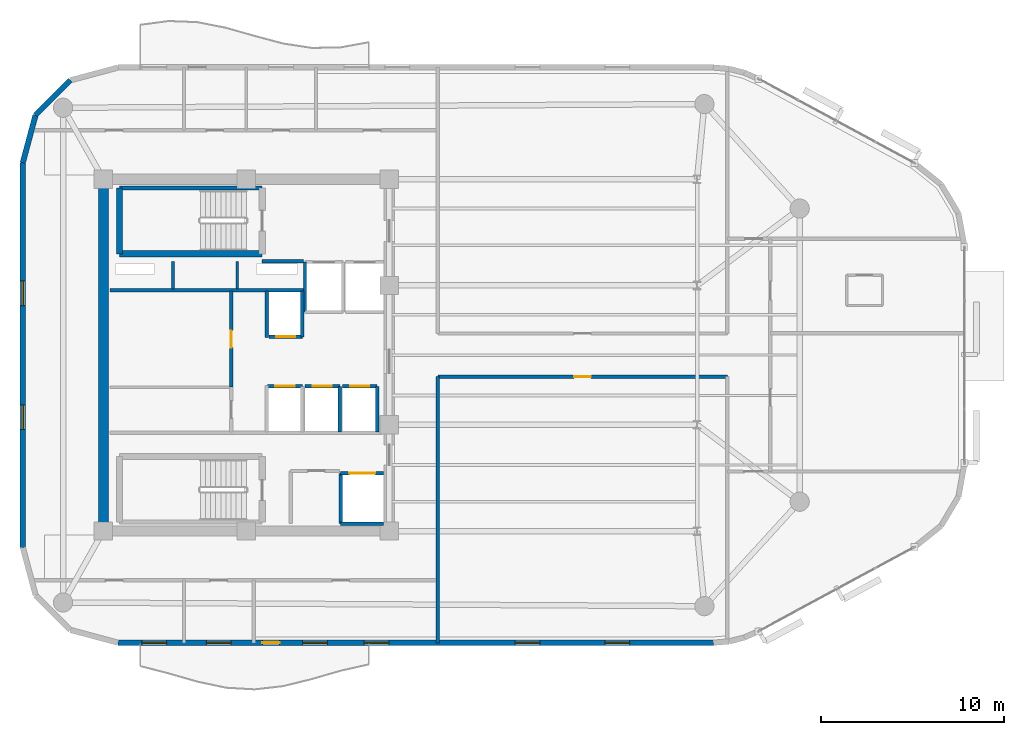
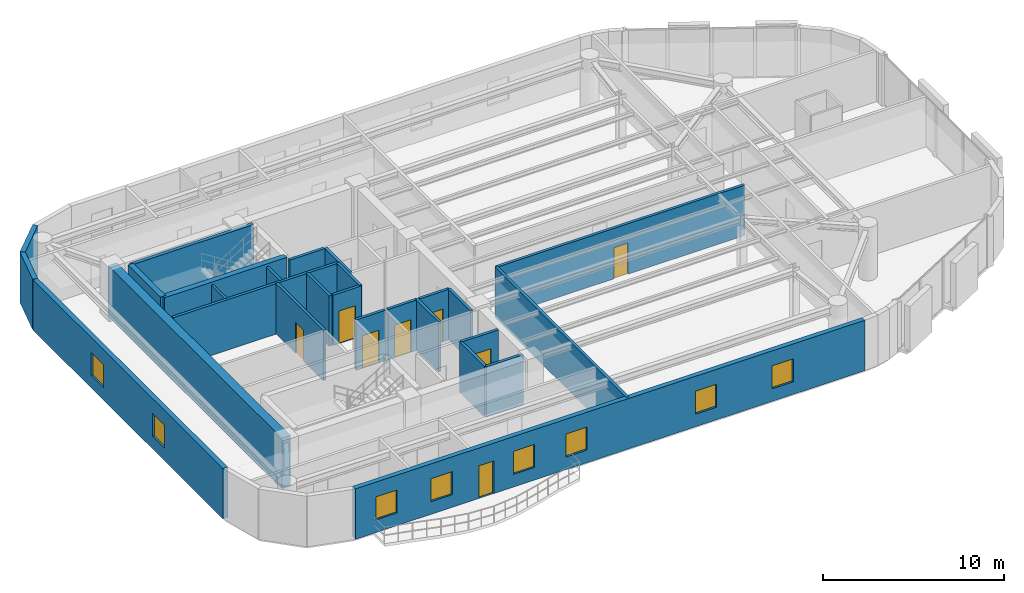
# One storey, part 9 of 13: 27 walls, 8 doors, 8 windows, 16 openings.
"""IFC4 building model written with IfcOpenShell, lengths in metres."""

from ifc_helpers import new_model, si_unit, direction, frame, frame_2d, origin, place, context, subcontext, project, spatial, rectangle, extrude, material, layer, layer_set, type_object, element, fill, save


model = new_model("IFC4")

# Units and contexts
model_context = context("Model", 3, precision=1e-05, world=origin(), true_north=direction((0.0, 1.0)))
body_context = subcontext(model_context, "Body", "Model", "MODEL_VIEW")
ifc_project = project(units=[si_unit("LENGTHUNIT", "METRE"), si_unit("AREAUNIT", "SQUARE_METRE"), si_unit("VOLUMEUNIT", "CUBIC_METRE"), si_unit("PLANEANGLEUNIT", "RADIAN"), si_unit("MASSUNIT", "GRAM", prefix="KILO")], contexts=[model_context])

# Site, building, storey
site_placement = place(None, origin())
site = spatial("IfcSite", under=ifc_project, at=site_placement, CompositionType="ELEMENT")
building_placement = place(site_placement, origin())
building = spatial("IfcBuilding", under=site, at=building_placement, Name="An Khanh Terracotta Commons", CompositionType="ELEMENT")
storey_placement = place(building_placement, frame((0.0, 0.0, 233.699951171875)))
storey = spatial("IfcBuildingStorey", under=building, at=storey_placement, Name="L61", CompositionType="ELEMENT", Elevation=233.699951171875)

# Walls
ifc_material_1 = material(Name="Concrete C50/60", Category="concrete")
ifc_layer_1 = layer(ifc_material_1, 0.550048828125, Name="Concrete C50/60")
ifc_layer_set_1 = layer_set([ifc_layer_1], Name="Concrete C50/60")
wall_type_1 = type_object("IfcWallType", Name="WALL-CORE-550", PredefinedType="SHEAR", material=ifc_layer_set_1)
wall_1_placement = place(storey_placement, frame((21.60009765625, 14.39990234375, 0.0), z_axis=(0.0, 0.0, 1.0), x_axis=(0.0, 1.0, 0.0)))
element("IfcWall", 1, at=wall_1_placement, inside=storey, type_object=wall_type_1, Name="L61 Core Wall CWALL-L61-W", PredefinedType="SHEAR", context=body_context, shape_type="SweptSolid", body=[
    extrude(rectangle(XDim=19.2001953125, YDim=0.550048828125, at=frame_2d((9.60009765625, 0.0))), origin(), (0.0, 0.0, 1.0), 3.400146484375),
])
ifc_material_2 = material(Name="Fire-Rated Gypsum Board on Steel Stud", Category="steel")
ifc_layer_2 = layer(ifc_material_2, 0.179931640625, Name="Fire-Rated Gypsum Board on Steel Stud")
ifc_layer_set_2 = layer_set([ifc_layer_2], Name="Fire-Rated Gypsum Board on Steel Stud")
wall_type_2 = type_object("IfcWallType", Name="WALL-CORR-180", PredefinedType="PARTITIONING", material=ifc_layer_set_2)
wall_2_placement = place(storey_placement, frame((30.27001953125, 29.1201171875, 0.0), z_axis=(0.0, 0.0, 1.0), x_axis=(1.0, 0.0, 0.0)))
element("IfcWall", 2, at=wall_2_placement, inside=storey, type_object=wall_type_2, Name="L61 Core Wall FFLW-L61-S", PredefinedType="PARTITIONING", context=body_context, shape_type="SweptSolid", body=[
    extrude(rectangle(XDim=2.239990234375, YDim=0.179931640625, at=frame_2d((1.1201171875, 0.0))), origin(), (0.0, 0.0, 1.0), 3.400146484375),
])
wall_3_placement = place(storey_placement, frame((21.949951171875, 27.5400390625, 0.0), z_axis=(0.0, 0.0, 1.0), x_axis=(1.0, 0.0, 0.0)))
element("IfcWall", 3, at=wall_3_placement, inside=storey, type_object=wall_type_2, Name="L61 Core Wall RSRW-L61-S", PredefinedType="PARTITIONING", context=body_context, shape_type="SweptSolid", body=[
    extrude(rectangle(XDim=10.56005859375, YDim=0.179931640625, at=frame_2d((5.280029296875, 0.0))), origin(), (0.0, 0.0, 1.0), 3.400146484375),
])
wall_4_placement = place(storey_placement, frame((32.60009765625, 29.080078125, 0.0), z_axis=(0.0, 0.0, 1.0), x_axis=(0.0, -1.0, 0.0)))
element("IfcWall", 4, at=wall_4_placement, inside=storey, type_object=wall_type_2, Name="L61 Core Wall LSH-L61-FFL-01-W", PredefinedType="PARTITIONING", context=body_context, shape_type="SweptSolid", body=[
    extrude(rectangle(XDim=2.72998046875, YDim=0.179931640625, at=frame_2d((1.364990234375, 0.0))), origin(), (0.0, 0.0, 1.0), 3.400146484375),
])

# Wall, opening, door
wall_5_placement = place(storey_placement, frame((34.550048828125, 17.550048828125, 0.0), z_axis=(0.0, 0.0, 1.0), x_axis=(1.0, 0.0, 0.0)))
wall_5 = element("IfcWall", 5, at=wall_5_placement, inside=storey, type_object=wall_type_2, Name="L61 Core Wall LSH-L61-SVL-01-N", PredefinedType="PARTITIONING", context=body_context, shape_type="SweptSolid", body=[
    extrude(rectangle(XDim=2.349853515625, YDim=0.179931640625, at=frame_2d((1.1748046875, 0.0))), origin(), (0.0, 0.0, 1.0), 3.400146484375),
])
opening_1_placement = place(wall_5_placement, frame((0.47509765625, 0.0, 0.0)))
opening_1 = element("IfcOpeningElement", 6, at=opening_1_placement, cuts=wall_5, Name="Opening LD-SVL-01-L61", PredefinedType="OPENING", context=body_context, shape_type="SweptSolid", body=[
    extrude(rectangle(XDim=1.39990234375, YDim=2.300048828125, at=frame_2d((0.699951171875, 1.14990234375))), frame((0.0, 0.099853515625, 0.0), z_axis=(0.0, -1.0, 0.0), x_axis=(1.0, 0.0, 0.0)), (0.0, 0.0, 1.0), 0.199951171875),
])
ifc_material_3 = material(Name="Heavy-Duty Stainless Steel Goods Landing Door", Category="steel")
door_type_1 = type_object("IfcDoorType", Name="DOOR-LD-SVL-1400", OperationType="NOTDEFINED", PredefinedType="DOOR", material=ifc_material_3)
door_1_placement = place(opening_1_placement, origin())
door_1 = element("IfcDoor", 7, at=door_1_placement, inside=storey, type_object=door_type_1, Name="L61 Lift SVL-01 Sliding Landing Door", OperationType="DOUBLE_DOOR_SLIDING", OverallHeight=2.300048828125, OverallWidth=1.39990234375, PredefinedType="DOOR", context=body_context, shape_type="SweptSolid", body=[
    extrude(rectangle(XDim=1.39990234375, YDim=2.300048828125, at=frame_2d((0.699951171875, 1.14990234375))), frame((0.0, 0.02490234375, 0.0), z_axis=(0.0, -1.0, 0.0), x_axis=(1.0, 0.0, 0.0)), (0.0, 0.0, 1.0), 0.050048828125),
])
fill(opening_1, door_1)

# Walls
wall_6_placement = place(storey_placement, frame((36.89990234375, 14.800048828125, 0.0), z_axis=(0.0, 0.0, 1.0), x_axis=(-1.0, 0.0, 0.0)))
element("IfcWall", 8, at=wall_6_placement, inside=storey, type_object=wall_type_2, Name="L61 Core Wall LSH-L61-SVL-01-S", PredefinedType="PARTITIONING", context=body_context, shape_type="SweptSolid", body=[
    extrude(rectangle(XDim=2.349853515625, YDim=0.179931640625, at=frame_2d((1.1748046875, 0.0))), origin(), (0.0, 0.0, 1.0), 3.400146484375),
])
wall_7_placement = place(storey_placement, frame((34.550048828125, 17.550048828125, 0.0), z_axis=(0.0, 0.0, 1.0), x_axis=(0.0, -1.0, 0.0)))
element("IfcWall", 9, at=wall_7_placement, inside=storey, type_object=wall_type_2, Name="L61 Core Wall LSH-L61-SVL-01-W", PredefinedType="PARTITIONING", context=body_context, shape_type="SweptSolid", body=[
    extrude(rectangle(XDim=2.75, YDim=0.179931640625, at=frame_2d((1.375, 0.0))), origin(), (0.0, 0.0, 1.0), 3.400146484375),
])

# Wall, opening, door
wall_8_placement = place(storey_placement, frame((32.4599609375, 25.0, 0.0), z_axis=(0.0, 0.0, 1.0), x_axis=(-1.0, 0.0, 0.0)))
wall_8 = element("IfcWall", 10, at=wall_8_placement, inside=storey, type_object=wall_type_2, Name="L61 Core Wall LSH-L61-PL-H1-S", PredefinedType="PARTITIONING", context=body_context, shape_type="SweptSolid", body=[
    extrude(rectangle(XDim=1.820068359375, YDim=0.179931640625, at=frame_2d((0.91015625, 0.0))), origin(), (0.0, 0.0, 1.0), 3.400146484375),
])
opening_2_placement = place(wall_8_placement, frame((0.385009765625, 0.0, 0.0)))
opening_2 = element("IfcOpeningElement", 11, at=opening_2_placement, cuts=wall_8, Name="Opening LD-PL-H1-L61", PredefinedType="OPENING", context=body_context, shape_type="SweptSolid", body=[
    extrude(rectangle(XDim=1.050048828125, YDim=2.199951171875, at=frame_2d((0.52490234375, 1.10009765625))), frame((0.0, 0.099853515625, 0.0), z_axis=(0.0, -1.0, 0.0), x_axis=(1.0, 0.0, 0.0)), (0.0, 0.0, 1.0), 0.199951171875),
])
ifc_material_4 = material(Name="Brushed Stainless Steel High-Rise Landing Door", Category="steel")
door_type_2 = type_object("IfcDoorType", Name="DOOR-LD-PAXH-1050", OperationType="NOTDEFINED", PredefinedType="DOOR", material=ifc_material_4)
door_2_placement = place(opening_2_placement, origin())
door_2 = element("IfcDoor", 12, at=door_2_placement, inside=storey, type_object=door_type_2, Name="L61 Lift PL-H1 Sliding Landing Door", OperationType="DOUBLE_DOOR_SLIDING", OverallHeight=2.199951171875, OverallWidth=1.050048828125, PredefinedType="DOOR", context=body_context, shape_type="SweptSolid", body=[
    extrude(rectangle(XDim=1.050048828125, YDim=2.199951171875, at=frame_2d((0.52490234375, 1.10009765625))), frame((0.0, 0.02490234375, 0.0), z_axis=(0.0, -1.0, 0.0), x_axis=(1.0, 0.0, 0.0)), (0.0, 0.0, 1.0), 0.050048828125),
])
fill(opening_2, door_2)

# Wall
wall_9_placement = place(storey_placement, frame((32.4599609375, 25.0, 0.0), z_axis=(0.0, 0.0, 1.0), x_axis=(0.0, 1.0, 0.0)))
element("IfcWall", 13, at=wall_9_placement, inside=storey, type_object=wall_type_2, Name="L61 Core Wall LSH-L61-PL-H1-E", PredefinedType="PARTITIONING", context=body_context, shape_type="SweptSolid", body=[
    extrude(rectangle(XDim=2.5, YDim=0.179931640625, at=frame_2d((1.25, 0.0))), origin(), (0.0, 0.0, 1.0), 3.400146484375),
])

# Wall, opening, door
wall_10_placement = place(storey_placement, frame((30.56005859375, 22.300048828125, 0.0), z_axis=(0.0, 0.0, 1.0), x_axis=(1.0, 0.0, 0.0)))
wall_10 = element("IfcWall", 14, at=wall_10_placement, inside=storey, type_object=wall_type_2, Name="L61 Core Wall LSH-L61-PL-H2-N", PredefinedType="PARTITIONING", context=body_context, shape_type="SweptSolid", body=[
    extrude(rectangle(XDim=1.89990234375, YDim=0.179931640625, at=frame_2d((0.949951171875, 0.0))), origin(), (0.0, 0.0, 1.0), 3.400146484375),
])
opening_3_placement = place(wall_10_placement, frame((0.425048828125, 0.0, 0.0)))
opening_3 = element("IfcOpeningElement", 15, at=opening_3_placement, cuts=wall_10, Name="Opening LD-PL-H2-L61", PredefinedType="OPENING", context=body_context, shape_type="SweptSolid", body=[
    extrude(rectangle(XDim=1.050048828125, YDim=2.199951171875, at=frame_2d((0.52490234375, 1.10009765625))), frame((0.0, 0.099853515625, 0.0), z_axis=(0.0, -1.0, 0.0), x_axis=(1.0, 0.0, 0.0)), (0.0, 0.0, 1.0), 0.199951171875),
])
door_3_placement = place(opening_3_placement, origin())
door_3 = element("IfcDoor", 16, at=door_3_placement, inside=storey, type_object=door_type_2, Name="L61 Lift PL-H2 Sliding Landing Door", OperationType="DOUBLE_DOOR_SLIDING", OverallHeight=2.199951171875, OverallWidth=1.050048828125, PredefinedType="DOOR", context=body_context, shape_type="SweptSolid", body=[
    extrude(rectangle(XDim=1.050048828125, YDim=2.199951171875, at=frame_2d((0.52490234375, 1.10009765625))), frame((0.0, 0.02490234375, 0.0), z_axis=(0.0, -1.0, 0.0), x_axis=(1.0, 0.0, 0.0)), (0.0, 0.0, 1.0), 0.050048828125),
])
fill(opening_3, door_3)

wall_11_placement = place(storey_placement, frame((32.60009765625, 22.300048828125, 0.0), z_axis=(0.0, 0.0, 1.0), x_axis=(1.0, 0.0, 0.0)))
wall_11 = element("IfcWall", 17, at=wall_11_placement, inside=storey, type_object=wall_type_2, Name="L61 Core Wall LSH-L61-PL-H3-N", PredefinedType="PARTITIONING", context=body_context, shape_type="SweptSolid", body=[
    extrude(rectangle(XDim=1.89990234375, YDim=0.179931640625, at=frame_2d((0.949951171875, 0.0))), origin(), (0.0, 0.0, 1.0), 3.400146484375),
])
opening_4_placement = place(wall_11_placement, frame((0.425048828125, 0.0, 0.0)))
opening_4 = element("IfcOpeningElement", 18, at=opening_4_placement, cuts=wall_11, Name="Opening LD-PL-H3-L61", PredefinedType="OPENING", context=body_context, shape_type="SweptSolid", body=[
    extrude(rectangle(XDim=1.050048828125, YDim=2.199951171875, at=frame_2d((0.52490234375, 1.10009765625))), frame((0.0, 0.099853515625, 0.0), z_axis=(0.0, -1.0, 0.0), x_axis=(1.0, 0.0, 0.0)), (0.0, 0.0, 1.0), 0.199951171875),
])
door_4_placement = place(opening_4_placement, origin())
door_4 = element("IfcDoor", 19, at=door_4_placement, inside=storey, type_object=door_type_2, Name="L61 Lift PL-H3 Sliding Landing Door", OperationType="DOUBLE_DOOR_SLIDING", OverallHeight=2.199951171875, OverallWidth=1.050048828125, PredefinedType="DOOR", context=body_context, shape_type="SweptSolid", body=[
    extrude(rectangle(XDim=1.050048828125, YDim=2.199951171875, at=frame_2d((0.52490234375, 1.10009765625))), frame((0.0, 0.02490234375, 0.0), z_axis=(0.0, -1.0, 0.0), x_axis=(1.0, 0.0, 0.0)), (0.0, 0.0, 1.0), 0.050048828125),
])
fill(opening_4, door_4)

# Wall
wall_12_placement = place(storey_placement, frame((34.5, 19.800048828125, 0.0), z_axis=(0.0, 0.0, 1.0), x_axis=(0.0, 1.0, 0.0)))
element("IfcWall", 20, at=wall_12_placement, inside=storey, type_object=wall_type_2, Name="L61 Core Wall LSH-L61-PL-H3-E", PredefinedType="PARTITIONING", context=body_context, shape_type="SweptSolid", body=[
    extrude(rectangle(XDim=2.5, YDim=0.179931640625, at=frame_2d((1.25, 0.0))), origin(), (0.0, 0.0, 1.0), 3.400146484375),
])

# Wall, opening, door
wall_13_placement = place(storey_placement, frame((34.639892578125, 22.300048828125, 0.0), z_axis=(0.0, 0.0, 1.0), x_axis=(1.0, 0.0, 0.0)))
wall_13 = element("IfcWall", 21, at=wall_13_placement, inside=storey, type_object=wall_type_2, Name="L61 Core Wall LSH-L61-PL-H4-N", PredefinedType="PARTITIONING", context=body_context, shape_type="SweptSolid", body=[
    extrude(rectangle(XDim=1.900146484375, YDim=0.179931640625, at=frame_2d((0.9501953125, 0.0))), origin(), (0.0, 0.0, 1.0), 3.400146484375),
])
opening_5_placement = place(wall_13_placement, frame((0.425048828125, 0.0, 0.0)))
opening_5 = element("IfcOpeningElement", 22, at=opening_5_placement, cuts=wall_13, Name="Opening LD-PL-H4-L61", PredefinedType="OPENING", context=body_context, shape_type="SweptSolid", body=[
    extrude(rectangle(XDim=1.050048828125, YDim=2.199951171875, at=frame_2d((0.52490234375, 1.10009765625))), frame((0.0, 0.099853515625, 0.0), z_axis=(0.0, -1.0, 0.0), x_axis=(1.0, 0.0, 0.0)), (0.0, 0.0, 1.0), 0.199951171875),
])
door_5_placement = place(opening_5_placement, origin())
door_5 = element("IfcDoor", 23, at=door_5_placement, inside=storey, type_object=door_type_2, Name="L61 Lift PL-H4 Sliding Landing Door", OperationType="DOUBLE_DOOR_SLIDING", OverallHeight=2.199951171875, OverallWidth=1.050048828125, PredefinedType="DOOR", context=body_context, shape_type="SweptSolid", body=[
    extrude(rectangle(XDim=1.050048828125, YDim=2.199951171875, at=frame_2d((0.52490234375, 1.10009765625))), frame((0.0, 0.02490234375, 0.0), z_axis=(0.0, -1.0, 0.0), x_axis=(1.0, 0.0, 0.0)), (0.0, 0.0, 1.0), 0.050048828125),
])
fill(opening_5, door_5)

# Walls
wall_14_placement = place(storey_placement, frame((36.5400390625, 19.800048828125, 0.0), z_axis=(0.0, 0.0, 1.0), x_axis=(0.0, 1.0, 0.0)))
element("IfcWall", 24, at=wall_14_placement, inside=storey, type_object=wall_type_2, Name="L61 Core Wall LSH-L61-PL-H4-E", PredefinedType="PARTITIONING", context=body_context, shape_type="SweptSolid", body=[
    extrude(rectangle(XDim=2.5, YDim=0.179931640625, at=frame_2d((1.25, 0.0))), origin(), (0.0, 0.0, 1.0), 3.400146484375),
])
wall_15_placement = place(storey_placement, frame((30.52001953125, 24.949951171875, 0.0), z_axis=(0.0, 0.0, 1.0), x_axis=(0.0, 1.0, 0.0)))
element("IfcWall", 25, at=wall_15_placement, inside=storey, type_object=wall_type_2, Name="L61 Core Wall RECW-L61-BE1", PredefinedType="PARTITIONING", context=body_context, shape_type="SweptSolid", body=[
    extrude(rectangle(XDim=2.550048828125, YDim=0.179931640625, at=frame_2d((1.27490234375, 0.0))), origin(), (0.0, 0.0, 1.0), 3.400146484375),
])

# Wall, opening, door
wall_16_placement = place(storey_placement, frame((28.580078125, 22.25, 0.0), z_axis=(0.0, 0.0, 1.0), x_axis=(0.0, 1.0, 0.0)))
wall_16 = element("IfcWall", 26, at=wall_16_placement, inside=storey, type_object=wall_type_2, Name="L61 Core Wall RECW-L61-E1", PredefinedType="PARTITIONING", context=body_context, shape_type="SweptSolid", body=[
    extrude(rectangle(XDim=5.25, YDim=0.179931640625, at=frame_2d((2.625, 0.0))), origin(), (0.0, 0.0, 1.0), 3.400146484375),
])
opening_6_placement = place(wall_16_placement, frame((2.1650390625, 0.0, 0.0)))
opening_6 = element("IfcOpeningElement", 27, at=opening_6_placement, cuts=wall_16, Name="Opening D-RM", PredefinedType="OPENING", context=body_context, shape_type="SweptSolid", body=[
    extrude(rectangle(XDim=0.919921875, YDim=2.10009765625, at=frame_2d((0.4599609375, 1.050048828125))), frame((0.0, 0.099853515625, 0.0), z_axis=(0.0, -1.0, 0.0), x_axis=(1.0, 0.0, 0.0)), (0.0, 0.0, 1.0), 0.199951171875),
])
ifc_material_5 = material(Name="Engineered Hardwood Timber Leaf", Category="wood")
door_type_3 = type_object("IfcDoorType", Name="DOOR-INT-920", OperationType="NOTDEFINED", PredefinedType="DOOR", material=ifc_material_5)
door_6_placement = place(opening_6_placement, origin())
door_6 = element("IfcDoor", 28, at=door_6_placement, inside=storey, type_object=door_type_3, Name="L61 Quiet Fellowship Study Room Door", OperationType="SINGLE_SWING_RIGHT", OverallHeight=2.10009765625, OverallWidth=0.919921875, PredefinedType="DOOR", context=body_context, shape_type="SweptSolid", body=[
    extrude(rectangle(XDim=0.919921875, YDim=2.10009765625, at=frame_2d((0.4599609375, 1.050048828125))), frame((0.0, 0.02490234375, 0.0), z_axis=(0.0, -1.0, 0.0), x_axis=(1.0, 0.0, 0.0)), (0.0, 0.0, 1.0), 0.050048828125),
])
fill(opening_6, door_6)

wall_17_placement = place(storey_placement, frame((39.85009765625, 22.820068359375, 0.0), z_axis=(0.0, 0.0, 1.0), x_axis=(1.0, 0.0, 0.0)))
wall_17 = element("IfcWall", 29, at=wall_17_placement, inside=storey, type_object=wall_type_2, Name="L61 Interior Partition IW-L61-E003", PredefinedType="PARTITIONING", context=body_context, shape_type="SweptSolid", body=[
    extrude(rectangle(XDim=15.7998046875, YDim=0.179931640625, at=frame_2d((7.89990234375, 0.0))), origin(), (0.0, 0.0, 1.0), 3.400146484375),
])
opening_7_placement = place(wall_17_placement, frame((7.43994140625, 0.0, 0.0)))
opening_7 = element("IfcOpeningElement", 30, at=opening_7_placement, cuts=wall_17, Name="Opening D-RM", PredefinedType="OPENING", context=body_context, shape_type="SweptSolid", body=[
    extrude(rectangle(XDim=0.919921875, YDim=2.10009765625, at=frame_2d((0.4599609375, 1.050048828125))), frame((0.0, 0.099853515625, 0.0), z_axis=(0.0, -1.0, 0.0), x_axis=(1.0, 0.0, 0.0)), (0.0, 0.0, 1.0), 0.199951171875),
])
door_7_placement = place(opening_7_placement, origin())
door_7 = element("IfcDoor", 31, at=door_7_placement, inside=storey, type_object=door_type_3, Name="L61 SB1 Riverfront Reading Hall Door", OperationType="SINGLE_SWING_LEFT", OverallHeight=2.10009765625, OverallWidth=0.919921875, PredefinedType="DOOR", context=body_context, shape_type="SweptSolid", body=[
    extrude(rectangle(XDim=0.919921875, YDim=2.10009765625, at=frame_2d((0.4599609375, 1.050048828125))), frame((0.0, 0.02490234375, 0.0), z_axis=(0.0, -1.0, 0.0), x_axis=(1.0, 0.0, 0.0)), (0.0, 0.0, 1.0), 0.050048828125),
])
fill(opening_7, door_7)

# Wall
wall_18_placement = place(storey_placement, frame((39.85009765625, 8.300048828125, 0.0), z_axis=(0.0, 0.0, 1.0), x_axis=(0.0, 1.0, 0.0)))
element("IfcWall", 32, at=wall_18_placement, inside=storey, type_object=wall_type_2, Name="L61 Interior Partition IW-L61-E013", PredefinedType="PARTITIONING", context=body_context, shape_type="SweptSolid", body=[
    extrude(rectangle(XDim=14.52001953125, YDim=0.179931640625, at=frame_2d((7.260009765625, 0.0))), origin(), (0.0, 0.0, 1.0), 3.400146484375),
])

# Wall, openings, door, windows
ifc_material_6 = material(Name="Precast concrete C40/50", Category="concrete")
ifc_layer_3 = layer(ifc_material_6, 0.300048828125, Name="Precast concrete C40/50")
ifc_layer_set_3 = layer_set([ifc_layer_3], Name="Precast concrete C40/50")
wall_type_3 = type_object("IfcWallType", Name="WALL-EXT-300", PredefinedType="SOLIDWALL", material=ifc_layer_set_3)
wall_19_placement = place(storey_placement, frame((22.39990234375, 8.300048828125, 0.0), z_axis=(0.0, 0.0, 1.0), x_axis=(1.0, 0.0, 0.0)))
wall_19 = element("IfcWall", 33, at=wall_19_placement, inside=storey, type_object=wall_type_3, Name="L61 Insulated Terracotta Exterior Wall 4", PredefinedType="SOLIDWALL", context=body_context, shape_type="SweptSolid", body=[
    extrude(rectangle(XDim=32.485107421875, YDim=0.300048828125, at=frame_2d((16.24267578125, 0.0))), origin(), (0.0, 0.0, 1.0), 3.400146484375),
])
opening_8_placement = place(wall_19_placement, frame((7.875, 0.0, 0.0)))
opening_8 = element("IfcOpeningElement", 34, at=opening_8_placement, cuts=wall_19, Name="Opening D-BAL", PredefinedType="OPENING", context=body_context, shape_type="SweptSolid", body=[
    extrude(rectangle(XDim=0.949951171875, YDim=2.199951171875, at=frame_2d((0.47509765625, 1.10009765625))), frame((0.0, 0.159912109375, 0.0), z_axis=(0.0, -1.0, 0.0), x_axis=(1.0, 0.0, 0.0)), (0.0, 0.0, 1.0), 0.320068359375),
])
opening_9_placement = place(wall_19_placement, frame((1.300048828125, 0.0, 0.85009765625)))
opening_9 = element("IfcOpeningElement", 35, at=opening_9_placement, cuts=wall_19, Name="Opening W-04", PredefinedType="OPENING", context=body_context, shape_type="SweptSolid", body=[
    extrude(rectangle(XDim=1.35009765625, YDim=1.550048828125, at=frame_2d((0.675048828125, 0.77490234375))), frame((0.0, 0.159912109375, 0.0), z_axis=(0.0, -1.0, 0.0), x_axis=(1.0, 0.0, 0.0)), (0.0, 0.0, 1.0), 0.320068359375),
])
opening_10_placement = place(wall_19_placement, frame((4.824951171875, 0.0, 0.85009765625)))
opening_10 = element("IfcOpeningElement", 36, at=opening_10_placement, cuts=wall_19, Name="Opening W-04", PredefinedType="OPENING", context=body_context, shape_type="SweptSolid", body=[
    extrude(rectangle(XDim=1.35009765625, YDim=1.550048828125, at=frame_2d((0.675048828125, 0.77490234375))), frame((0.0, 0.159912109375, 0.0), z_axis=(0.0, -1.0, 0.0), x_axis=(1.0, 0.0, 0.0)), (0.0, 0.0, 1.0), 0.320068359375),
])
opening_11_placement = place(wall_19_placement, frame((10.074951171875, 0.0, 0.85009765625)))
opening_11 = element("IfcOpeningElement", 37, at=opening_11_placement, cuts=wall_19, Name="Opening W-04", PredefinedType="OPENING", context=body_context, shape_type="SweptSolid", body=[
    extrude(rectangle(XDim=1.35009765625, YDim=1.550048828125, at=frame_2d((0.675048828125, 0.77490234375))), frame((0.0, 0.159912109375, 0.0), z_axis=(0.0, -1.0, 0.0), x_axis=(1.0, 0.0, 0.0)), (0.0, 0.0, 1.0), 0.320068359375),
])
opening_12_placement = place(wall_19_placement, frame((13.425048828125, 0.0, 0.85009765625)))
opening_12 = element("IfcOpeningElement", 38, at=opening_12_placement, cuts=wall_19, Name="Opening W-04", PredefinedType="OPENING", context=body_context, shape_type="SweptSolid", body=[
    extrude(rectangle(XDim=1.35009765625, YDim=1.550048828125, at=frame_2d((0.675048828125, 0.77490234375))), frame((0.0, 0.159912109375, 0.0), z_axis=(0.0, -1.0, 0.0), x_axis=(1.0, 0.0, 0.0)), (0.0, 0.0, 1.0), 0.320068359375),
])
opening_13_placement = place(wall_19_placement, frame((21.669921875, 0.0, 0.85009765625)))
opening_13 = element("IfcOpeningElement", 39, at=opening_13_placement, cuts=wall_19, Name="Opening W-04", PredefinedType="OPENING", context=body_context, shape_type="SweptSolid", body=[
    extrude(rectangle(XDim=1.35009765625, YDim=1.550048828125, at=frame_2d((0.675048828125, 0.77490234375))), frame((0.0, 0.159912109375, 0.0), z_axis=(0.0, -1.0, 0.0), x_axis=(1.0, 0.0, 0.0)), (0.0, 0.0, 1.0), 0.320068359375),
])
opening_14_placement = place(wall_19_placement, frame((26.56494140625, 0.0, 0.85009765625)))
opening_14 = element("IfcOpeningElement", 40, at=opening_14_placement, cuts=wall_19, Name="Opening W-04", PredefinedType="OPENING", context=body_context, shape_type="SweptSolid", body=[
    extrude(rectangle(XDim=1.35009765625, YDim=1.550048828125, at=frame_2d((0.675048828125, 0.77490234375))), frame((0.0, 0.159912109375, 0.0), z_axis=(0.0, -1.0, 0.0), x_axis=(1.0, 0.0, 0.0)), (0.0, 0.0, 1.0), 0.320068359375),
])
ifc_material_7 = material(Name="Thermally Broken Aluminium and Low-E Glass", Category="aluminium")
door_type_4 = type_object("IfcDoorType", Name="DOOR-BALC-950", OperationType="NOTDEFINED", PredefinedType="DOOR", material=ifc_material_7)
door_8_placement = place(opening_8_placement, origin())
door_8 = element("IfcDoor", 41, at=door_8_placement, inside=storey, type_object=door_type_4, Name="L61 S Wave Balcony Glazed Door", OperationType="SINGLE_SWING_LEFT", OverallHeight=2.199951171875, OverallWidth=0.949951171875, PredefinedType="DOOR", context=body_context, shape_type="SweptSolid", body=[
    extrude(rectangle(XDim=0.949951171875, YDim=2.199951171875, at=frame_2d((0.47509765625, 1.10009765625))), frame((0.0, 0.02490234375, 0.0), z_axis=(0.0, -1.0, 0.0), x_axis=(1.0, 0.0, 0.0)), (0.0, 0.0, 1.0), 0.050048828125),
])
fill(opening_8, door_8)
window_type = type_object("IfcWindowType", Name="WIN-Z4-1350x1550", PartitioningType="SINGLE_PANEL", PredefinedType="WINDOW", material=ifc_material_7)
window_1_placement = place(opening_9_placement, origin())
window_1 = element("IfcWindow", 42, at=window_1_placement, inside=storey, type_object=window_type, Name="L61 Operable Casement Window 4.1", OverallHeight=1.550048828125, OverallWidth=1.35009765625, PartitioningType="SINGLE_PANEL", PredefinedType="WINDOW", context=body_context, shape_type="SweptSolid", body=[
    extrude(rectangle(XDim=1.35009765625, YDim=1.550048828125, at=frame_2d((0.675048828125, 0.77490234375))), frame((0.0, 0.030029296875, 0.0), z_axis=(0.0, -1.0, 0.0), x_axis=(1.0, 0.0, 0.0)), (0.0, 0.0, 1.0), 0.06005859375),
])
fill(opening_9, window_1)
window_2_placement = place(opening_10_placement, origin())
window_2 = element("IfcWindow", 43, at=window_2_placement, inside=storey, type_object=window_type, Name="L61 Operable Casement Window 4.2", OverallHeight=1.550048828125, OverallWidth=1.35009765625, PartitioningType="SINGLE_PANEL", PredefinedType="WINDOW", context=body_context, shape_type="SweptSolid", body=[
    extrude(rectangle(XDim=1.35009765625, YDim=1.550048828125, at=frame_2d((0.675048828125, 0.77490234375))), frame((0.0, 0.030029296875, 0.0), z_axis=(0.0, -1.0, 0.0), x_axis=(1.0, 0.0, 0.0)), (0.0, 0.0, 1.0), 0.06005859375),
])
fill(opening_10, window_2)
window_3_placement = place(opening_11_placement, origin())
window_3 = element("IfcWindow", 44, at=window_3_placement, inside=storey, type_object=window_type, Name="L61 Operable Casement Window 4.3", OverallHeight=1.550048828125, OverallWidth=1.35009765625, PartitioningType="SINGLE_PANEL", PredefinedType="WINDOW", context=body_context, shape_type="SweptSolid", body=[
    extrude(rectangle(XDim=1.35009765625, YDim=1.550048828125, at=frame_2d((0.675048828125, 0.77490234375))), frame((0.0, 0.030029296875, 0.0), z_axis=(0.0, -1.0, 0.0), x_axis=(1.0, 0.0, 0.0)), (0.0, 0.0, 1.0), 0.06005859375),
])
fill(opening_11, window_3)
window_4_placement = place(opening_12_placement, origin())
window_4 = element("IfcWindow", 45, at=window_4_placement, inside=storey, type_object=window_type, Name="L61 Operable Casement Window 4.4", OverallHeight=1.550048828125, OverallWidth=1.35009765625, PartitioningType="SINGLE_PANEL", PredefinedType="WINDOW", context=body_context, shape_type="SweptSolid", body=[
    extrude(rectangle(XDim=1.35009765625, YDim=1.550048828125, at=frame_2d((0.675048828125, 0.77490234375))), frame((0.0, 0.030029296875, 0.0), z_axis=(0.0, -1.0, 0.0), x_axis=(1.0, 0.0, 0.0)), (0.0, 0.0, 1.0), 0.06005859375),
])
fill(opening_12, window_4)
window_5_placement = place(opening_13_placement, origin())
window_5 = element("IfcWindow", 46, at=window_5_placement, inside=storey, type_object=window_type, Name="L61 Operable Casement Window 4.5", OverallHeight=1.550048828125, OverallWidth=1.35009765625, PartitioningType="SINGLE_PANEL", PredefinedType="WINDOW", context=body_context, shape_type="SweptSolid", body=[
    extrude(rectangle(XDim=1.35009765625, YDim=1.550048828125, at=frame_2d((0.675048828125, 0.77490234375))), frame((0.0, 0.030029296875, 0.0), z_axis=(0.0, -1.0, 0.0), x_axis=(1.0, 0.0, 0.0)), (0.0, 0.0, 1.0), 0.06005859375),
])
fill(opening_13, window_5)
window_6_placement = place(opening_14_placement, origin())
window_6 = element("IfcWindow", 47, at=window_6_placement, inside=storey, type_object=window_type, Name="L61 Operable Casement Window 4.6", OverallHeight=1.550048828125, OverallWidth=1.35009765625, PartitioningType="SINGLE_PANEL", PredefinedType="WINDOW", context=body_context, shape_type="SweptSolid", body=[
    extrude(rectangle(XDim=1.35009765625, YDim=1.550048828125, at=frame_2d((0.675048828125, 0.77490234375))), frame((0.0, 0.030029296875, 0.0), z_axis=(0.0, -1.0, 0.0), x_axis=(1.0, 0.0, 0.0)), (0.0, 0.0, 1.0), 0.06005859375),
])
fill(opening_14, window_6)

# Walls
wall_20_placement = place(storey_placement, frame((19.800048828125, 39.0029296875, 0.0), z_axis=(0.0, 0.0, 1.0), x_axis=(-0.707152139074, -0.70706142039, 0.0)))
element("IfcWall", 48, at=wall_20_placement, inside=storey, type_object=wall_type_3, Name="L61 Insulated Terracotta Exterior Wall 22", PredefinedType="SOLIDWALL", context=body_context, shape_type="SweptSolid", body=[
    extrude(rectangle(XDim=2.691162109375, YDim=0.300048828125, at=frame_2d((1.345703125, 0.0))), origin(), (0.0, 0.0, 1.0), 3.400146484375),
])
wall_21_placement = place(storey_placement, frame((17.89697265625, 37.10009765625, 0.0), z_axis=(0.0, 0.0, 1.0), x_axis=(-0.258932525951, -0.965895412042, 0.0)))
element("IfcWall", 49, at=wall_21_placement, inside=storey, type_object=wall_type_3, Name="L61 Insulated Terracotta Exterior Wall 23", PredefinedType="SOLIDWALL", context=body_context, shape_type="SweptSolid", body=[
    extrude(rectangle(XDim=2.69189453125, YDim=0.300048828125, at=frame_2d((1.345947265625, 0.0))), origin(), (0.0, 0.0, 1.0), 3.400146484375),
])

# Wall, openings, windows
wall_22_placement = place(storey_placement, frame((17.199951171875, 34.5, 0.0), z_axis=(0.0, 0.0, 1.0), x_axis=(0.0, -1.0, 0.0)))
wall_22 = element("IfcWall", 50, at=wall_22_placement, inside=storey, type_object=wall_type_3, Name="L61 Insulated Terracotta Exterior Wall 24", PredefinedType="SOLIDWALL", context=body_context, shape_type="SweptSolid", body=[
    extrude(rectangle(XDim=21.0, YDim=0.300048828125, at=frame_2d((10.5, 0.0))), origin(), (0.0, 0.0, 1.0), 3.400146484375),
])
opening_15_placement = place(wall_22_placement, frame((6.44189453125, 0.0, 0.85009765625)))
opening_15 = element("IfcOpeningElement", 51, at=opening_15_placement, cuts=wall_22, Name="Opening W-04", PredefinedType="OPENING", context=body_context, shape_type="SweptSolid", body=[
    extrude(rectangle(XDim=1.35009765625, YDim=1.550048828125, at=frame_2d((0.675048828125, 0.77490234375))), frame((0.0, 0.159912109375, 0.0), z_axis=(0.0, -1.0, 0.0), x_axis=(1.0, 0.0, 0.0)), (0.0, 0.0, 1.0), 0.320068359375),
])
opening_16_placement = place(wall_22_placement, frame((13.2080078125, 0.0, 0.85009765625)))
opening_16 = element("IfcOpeningElement", 52, at=opening_16_placement, cuts=wall_22, Name="Opening W-04", PredefinedType="OPENING", context=body_context, shape_type="SweptSolid", body=[
    extrude(rectangle(XDim=1.35009765625, YDim=1.550048828125, at=frame_2d((0.675048828125, 0.77490234375))), frame((0.0, 0.159912109375, 0.0), z_axis=(0.0, -1.0, 0.0), x_axis=(1.0, 0.0, 0.0)), (0.0, 0.0, 1.0), 0.320068359375),
])
window_7_placement = place(opening_15_placement, origin())
window_7 = element("IfcWindow", 53, at=window_7_placement, inside=storey, type_object=window_type, Name="L61 Operable Casement Window 24.1", OverallHeight=1.550048828125, OverallWidth=1.35009765625, PartitioningType="SINGLE_PANEL", PredefinedType="WINDOW", context=body_context, shape_type="SweptSolid", body=[
    extrude(rectangle(XDim=1.35009765625, YDim=1.550048828125, at=frame_2d((0.675048828125, 0.77490234375))), frame((0.0, 0.030029296875, 0.0), z_axis=(0.0, -1.0, 0.0), x_axis=(1.0, 0.0, 0.0)), (0.0, 0.0, 1.0), 0.06005859375),
])
fill(opening_15, window_7)
window_8_placement = place(opening_16_placement, origin())
window_8 = element("IfcWindow", 54, at=window_8_placement, inside=storey, type_object=window_type, Name="L61 Operable Casement Window 24.2", OverallHeight=1.550048828125, OverallWidth=1.35009765625, PartitioningType="SINGLE_PANEL", PredefinedType="WINDOW", context=body_context, shape_type="SweptSolid", body=[
    extrude(rectangle(XDim=1.35009765625, YDim=1.550048828125, at=frame_2d((0.675048828125, 0.77490234375))), frame((0.0, 0.030029296875, 0.0), z_axis=(0.0, -1.0, 0.0), x_axis=(1.0, 0.0, 0.0)), (0.0, 0.0, 1.0), 0.06005859375),
])
fill(opening_16, window_8)

# Walls
ifc_material_8 = material(Name="Acoustic Gypsum Board Partition")
ifc_layer_4 = layer(ifc_material_8, 0.14990234375, Name="Acoustic Gypsum Board Partition")
ifc_layer_set_4 = layer_set([ifc_layer_4], Name="Acoustic Gypsum Board Partition")
wall_type_4 = type_object("IfcWallType", Name="WALL-PART-150", PredefinedType="PARTITIONING", material=ifc_layer_set_4)
for number, where, z_axis, x_axis, name in (
    (55, (25.39990234375, 27.60009765625, 0.0), (0.0, 0.0, 1.0), (0.0, 1.0, 0.0), "L61 Core Wall RSRW-L61-D1"),
    (56, (28.89990234375, 27.60009765625, 0.0), (0.0, 0.0, 1.0), (0.0, 1.0, 0.0), "L61 Core Wall RSRW-L61-D2"),
):
    element("IfcWall", number, at=place(storey_placement, frame(where, z_axis=z_axis, x_axis=x_axis)), inside=storey, type_object=wall_type_4, Name=name, PredefinedType="PARTITIONING", context=body_context, shape_type="SweptSolid", body=[
        extrude(rectangle(XDim=1.52001953125, YDim=0.14990234375, at=frame_2d((0.760009765625, 0.0))), origin(), (0.0, 0.0, 1.0), 3.400146484375),
    ])
ifc_material_9 = material(Name="Acoustic Double-Stud Gypsum and Mineral Wool")
ifc_layer_5 = layer(ifc_material_9, 0.219970703125, Name="Acoustic Double-Stud Gypsum and Mineral Wool")
ifc_layer_set_5 = layer_set([ifc_layer_5], Name="Acoustic Double-Stud Gypsum and Mineral Wool")
wall_type_5 = type_object("IfcWallType", Name="WALL-PARTY-220", PredefinedType="PARTITIONING", material=ifc_layer_set_5)
wall_23_placement = place(storey_placement, frame((22.47998046875, 33.110107421875, 0.0), z_axis=(0.0, 0.0, 1.0), x_axis=(1.0, 0.0, 0.0)))
element("IfcWall", 57, at=wall_23_placement, inside=storey, type_object=wall_type_5, Name="L61 Core Wall STW-L61-N-N", PredefinedType="PARTITIONING", context=body_context, shape_type="SweptSolid", body=[
    extrude(rectangle(XDim=7.7900390625, YDim=0.219970703125, at=frame_2d((3.89501953125, 0.0))), origin(), (0.0, 0.0, 1.0), 3.400146484375),
])
ifc_layer_6 = layer(ifc_material_1, 0.35009765625, Name="Concrete C50/60")
ifc_layer_set_6 = layer_set([ifc_layer_6], Name="Concrete C50/60")
wall_type_6 = type_object("IfcWallType", Name="WALL-SHAFT-350", PredefinedType="SOLIDWALL", material=ifc_layer_set_6)
wall_24_placement = place(storey_placement, frame((22.47998046875, 29.530029296875, 0.0), z_axis=(0.0, 0.0, 1.0), x_axis=(1.0, 0.0, 0.0)))
element("IfcWall", 58, at=wall_24_placement, inside=storey, type_object=wall_type_6, Name="L61 Core Wall STW-L61-N-S", PredefinedType="SOLIDWALL", context=body_context, shape_type="SweptSolid", body=[
    extrude(rectangle(XDim=7.7900390625, YDim=0.35009765625, at=frame_2d((3.89501953125, 0.0))), origin(), (0.0, 0.0, 1.0), 3.400146484375),
])
wall_25_placement = place(storey_placement, frame((22.47998046875, 29.530029296875, 0.0), z_axis=(0.0, 0.0, 1.0), x_axis=(0.0, 1.0, 0.0)))
element("IfcWall", 59, at=wall_25_placement, inside=storey, type_object=wall_type_6, Name="L61 Core Wall STW-L61-N-W", PredefinedType="SOLIDWALL", context=body_context, shape_type="SweptSolid", body=[
    extrude(rectangle(XDim=3.580078125, YDim=0.35009765625, at=frame_2d((1.7900390625, 0.0))), origin(), (0.0, 0.0, 1.0), 3.400146484375),
])

save(model, "model.ifc")
